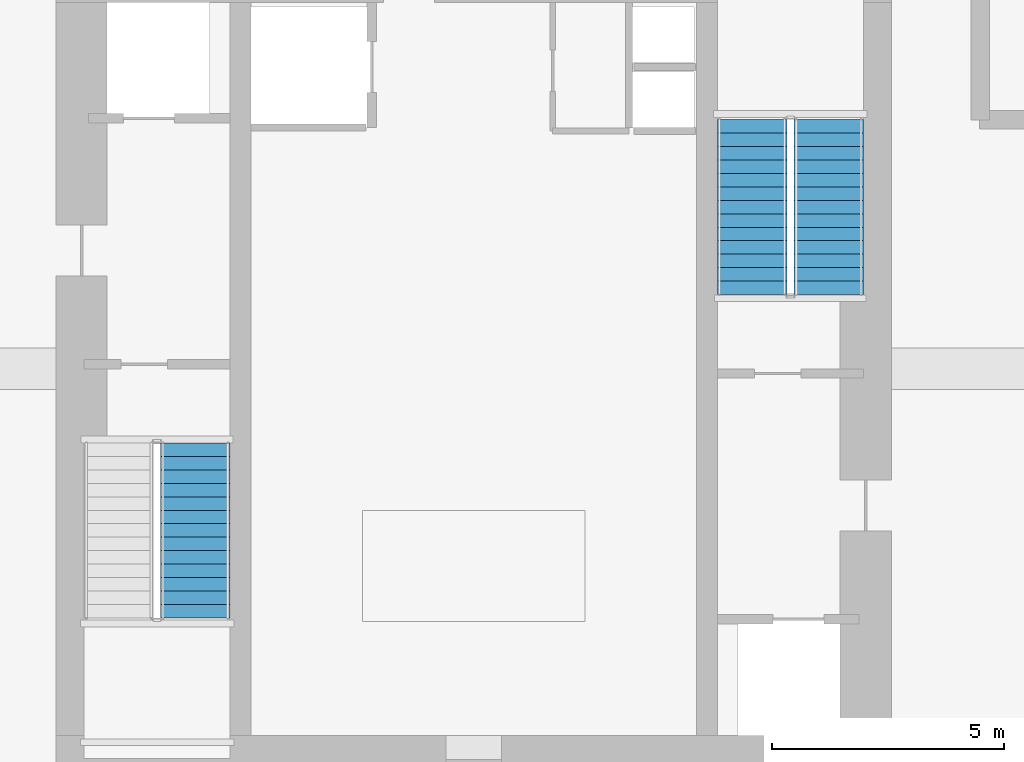
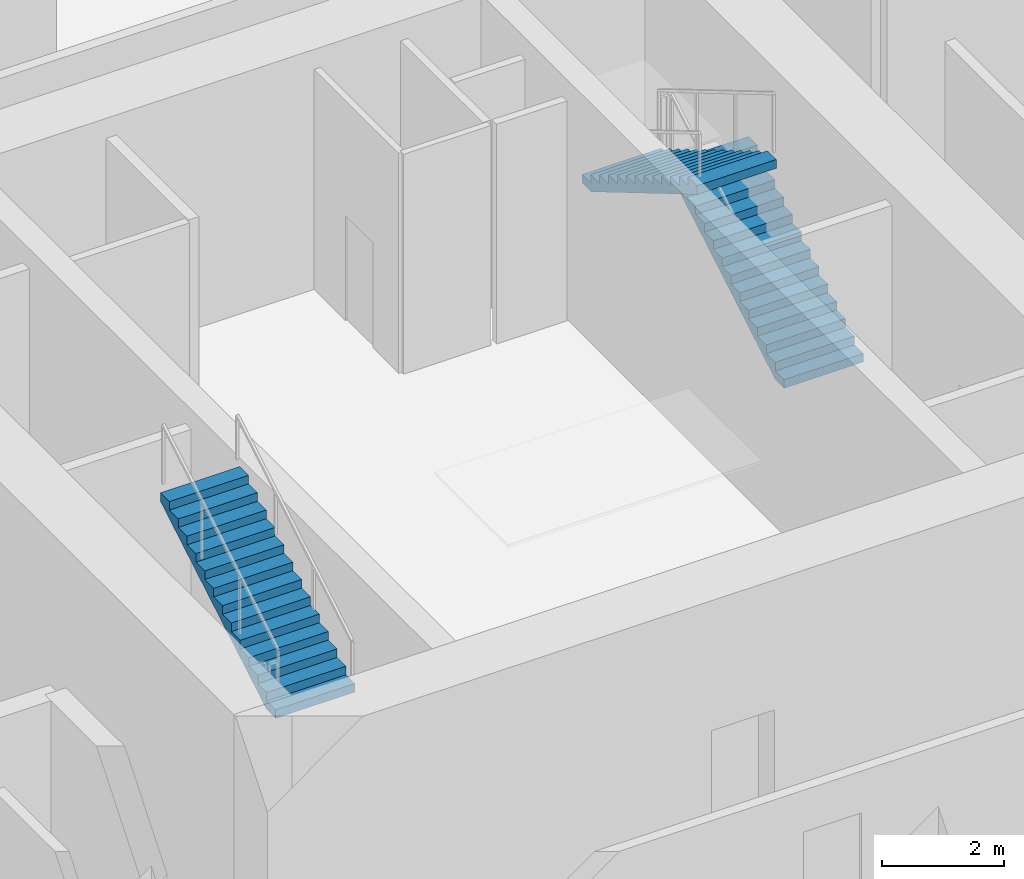
# One storey, part 3 of 6: 3 stair flights, 2 elements without a shape of their own.
"""IFC4 building model written with IfcOpenShell, lengths in metres."""

from ifc_helpers import new_model, si_unit, direction, frame, origin, place, context, subcontext, project, spatial, polyline, outline, extrude, material, type_object, element, aggregate, save


model = new_model("IFC4")

# Units and contexts
model_context = context("Model", 3, precision=1e-05, world=origin(), true_north=direction((0.0, 1.0)))
body_context = subcontext(model_context, "Body", "Model", "MODEL_VIEW")
ifc_project = project(units=[si_unit("LENGTHUNIT", "METRE"), si_unit("AREAUNIT", "SQUARE_METRE"), si_unit("VOLUMEUNIT", "CUBIC_METRE"), si_unit("PLANEANGLEUNIT", "RADIAN"), si_unit("MASSUNIT", "GRAM", prefix="KILO")], contexts=[model_context])

# Site, building, storey
site_placement = place(None, origin())
site = spatial("IfcSite", under=ifc_project, at=site_placement, CompositionType="ELEMENT")
building_placement = place(site_placement, origin())
building = spatial("IfcBuilding", under=site, at=building_placement, Name="Belovzor Exchange Tower", CompositionType="ELEMENT")
storey_placement = place(building_placement, frame((0.0, 0.0, -4.800048828125)))
storey = spatial("IfcBuildingStorey", under=building, at=storey_placement, Name="B01", CompositionType="ELEMENT", Elevation=-4.800048828125)

# Stair, stair flight
ifc_material_1 = material(Name="Concrete C40/50", Category="concrete")
stair_type = type_object("IfcStairType", Name="Reinforced Concrete Dogleg Escape Stair 1350", PredefinedType="HALF_TURN_STAIR", material=ifc_material_1)
stair_1_placement = place(storey_placement, origin())
stair_1 = element("IfcStair", 1, at=stair_1_placement, inside=storey, type_object=stair_type, Name="B01 ST-1", PredefinedType="HALF_TURN_STAIR")
ifc_material_2 = material(Name="Concrete C40/50", Category="concrete")
stair_flight_type = type_object("IfcStairFlightType", Name="Reinforced Concrete Stair Flight 1350", PredefinedType="STRAIGHT", material=ifc_material_2)
stair_flight_1_placement = place(storey_placement, frame((22.800048828125, 23.429931640625, 2.400146484375), z_axis=(0.0, 0.0, 1.0), x_axis=(0.0, 1.0, 0.0)))
stair_flight_1 = element("IfcStairFlight", 2, at=stair_flight_1_placement, type_object=stair_flight_type, Name="ST-1 flight 2", NumberOfRisers=14, NumberOfTreads=13, PredefinedType="STRAIGHT", RiserHeight=0.171428571, TreadLength=0.29, context=body_context, shape_type="SweptSolid", body=[
    extrude(outline(polyline([(0.0, 0.0), (0.0, 0.17138671875), (0.2900390625, 0.17138671875), (0.2900390625, 0.3427734375), (0.580078125, 0.3427734375), (0.580078125, 0.514404296875), (0.8701171875, 0.514404296875), (0.8701171875, 0.685791015625), (1.159912109375, 0.685791015625), (1.159912109375, 0.857177734375), (1.449951171875, 0.857177734375), (1.449951171875, 1.028564453125), (1.739990234375, 1.028564453125), (1.739990234375, 1.199951171875), (2.030029296875, 1.199951171875), (2.030029296875, 1.371337890625), (2.320068359375, 1.371337890625), (2.320068359375, 1.54296875), (2.610107421875, 1.54296875), (2.610107421875, 1.71435546875), (2.89990234375, 1.71435546875), (2.89990234375, 1.8857421875), (3.18994140625, 1.8857421875), (3.18994140625, 2.05712890625), (3.47998046875, 2.05712890625), (3.47998046875, 2.228515625), (3.77001953125, 2.228515625), (3.77001953125, 2.39990234375), (3.77001953125, 2.054443359375), (0.294677734375, 0.0), (0.0, 0.0)])), frame((0.0, 0.75, 0.0), z_axis=(0.0, -1.0, 0.0), x_axis=(1.0, 0.0, 0.0)), (0.0, 0.0, 1.0), 1.5),
])
aggregate(stair_1, [stair_flight_1])

# Stair, stair flights
stair_2_placement = place(storey_placement, origin())
stair_2 = element("IfcStair", 3, at=stair_2_placement, inside=storey, type_object=stair_type, Name="B01 ST-2", PredefinedType="HALF_TURN_STAIR")
stair_flight_2_placement = place(storey_placement, frame((36.449951171875, 30.39990234375, 0.0), z_axis=(0.0, 0.0, 1.0), x_axis=(0.0, 1.0, 0.0)))
stair_flight_2 = element("IfcStairFlight", 4, at=stair_flight_2_placement, type_object=stair_flight_type, Name="ST-2 flight 1", NumberOfRisers=14, NumberOfTreads=13, PredefinedType="STRAIGHT", RiserHeight=0.171428571, TreadLength=0.29, context=body_context, shape_type="SweptSolid", body=[
    extrude(outline(polyline([(0.0, 0.0), (0.0, 0.17138671875), (0.2900390625, 0.17138671875), (0.2900390625, 0.3427734375), (0.580078125, 0.3427734375), (0.580078125, 0.514404296875), (0.8701171875, 0.514404296875), (0.8701171875, 0.685791015625), (1.159912109375, 0.685791015625), (1.159912109375, 0.857177734375), (1.449951171875, 0.857177734375), (1.449951171875, 1.028564453125), (1.739990234375, 1.028564453125), (1.739990234375, 1.199951171875), (2.030029296875, 1.199951171875), (2.030029296875, 1.371337890625), (2.320068359375, 1.371337890625), (2.320068359375, 1.54296875), (2.610107421875, 1.54296875), (2.610107421875, 1.71435546875), (2.89990234375, 1.71435546875), (2.89990234375, 1.8857421875), (3.18994140625, 1.8857421875), (3.18994140625, 2.05712890625), (3.47998046875, 2.05712890625), (3.47998046875, 2.228515625), (3.77001953125, 2.228515625), (3.77001953125, 2.39990234375), (3.77001953125, 2.054443359375), (0.294677734375, 0.0), (0.0, 0.0)])), frame((0.0, 0.75, 0.0), z_axis=(0.0, -1.0, 0.0), x_axis=(1.0, 0.0, 0.0)), (0.0, 0.0, 1.0), 1.5),
])
stair_flight_3_placement = place(storey_placement, frame((34.800048828125, 34.169921875, 2.400146484375), z_axis=(0.0, 0.0, 1.0), x_axis=(0.0, -1.0, 0.0)))
stair_flight_3 = element("IfcStairFlight", 5, at=stair_flight_3_placement, type_object=stair_flight_type, Name="ST-2 flight 2", NumberOfRisers=14, NumberOfTreads=13, PredefinedType="STRAIGHT", RiserHeight=0.171428571, TreadLength=0.29, context=body_context, shape_type="SweptSolid", body=[
    extrude(outline(polyline([(0.0, 0.0), (0.0, 0.17138671875), (0.2900390625, 0.17138671875), (0.2900390625, 0.3427734375), (0.580078125, 0.3427734375), (0.580078125, 0.514404296875), (0.8701171875, 0.514404296875), (0.8701171875, 0.685791015625), (1.159912109375, 0.685791015625), (1.159912109375, 0.857177734375), (1.449951171875, 0.857177734375), (1.449951171875, 1.028564453125), (1.739990234375, 1.028564453125), (1.739990234375, 1.199951171875), (2.030029296875, 1.199951171875), (2.030029296875, 1.371337890625), (2.320068359375, 1.371337890625), (2.320068359375, 1.54296875), (2.610107421875, 1.54296875), (2.610107421875, 1.71435546875), (2.89990234375, 1.71435546875), (2.89990234375, 1.8857421875), (3.18994140625, 1.8857421875), (3.18994140625, 2.05712890625), (3.47998046875, 2.05712890625), (3.47998046875, 2.228515625), (3.77001953125, 2.228515625), (3.77001953125, 2.39990234375), (3.77001953125, 2.054443359375), (0.294677734375, 0.0), (0.0, 0.0)])), frame((0.0, 0.75, 0.0), z_axis=(0.0, -1.0, 0.0), x_axis=(1.0, 0.0, 0.0)), (0.0, 0.0, 1.0), 1.5),
])
aggregate(stair_2, [stair_flight_2, stair_flight_3])

save(model, "model.ifc")
